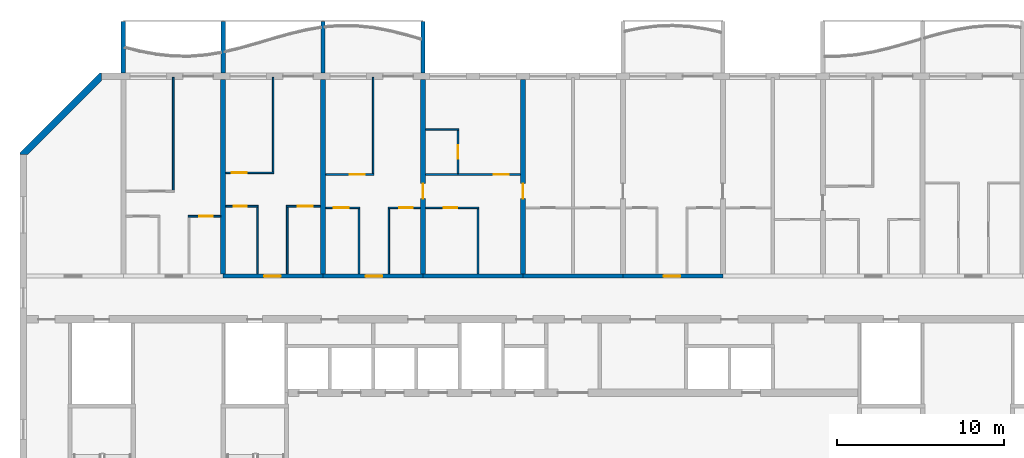
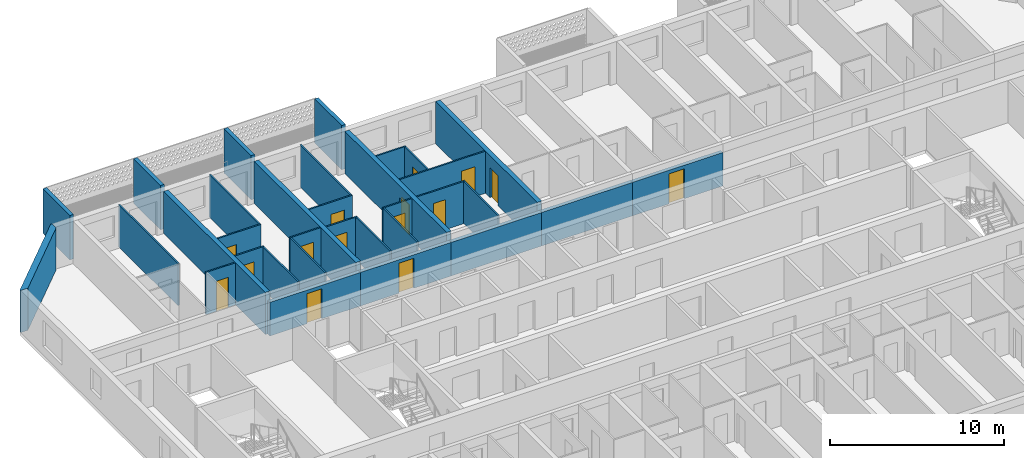
# One storey, part 8 of 26: 33 walls, 15 doors, 15 openings.
"""IFC4 building model written with IfcOpenShell, lengths in metres."""

from ifc_helpers import new_model, si_unit, direction, frame, frame_2d, origin, place, context, subcontext, project, spatial, polyline, rectangle, outline, extrude, source, transform, mapped, material, layer, layer_set, type_object, element, fill, save


model = new_model("IFC4")

# Units and contexts
model_context = context("Model", 3, precision=1e-05, world=origin(), true_north=direction((0.0, 1.0)))
body_context = subcontext(model_context, "Body", "Model", "MODEL_VIEW")
ifc_project = project(units=[si_unit("LENGTHUNIT", "METRE"), si_unit("AREAUNIT", "SQUARE_METRE"), si_unit("VOLUMEUNIT", "CUBIC_METRE"), si_unit("PLANEANGLEUNIT", "RADIAN"), si_unit("MASSUNIT", "GRAM", prefix="KILO")], contexts=[model_context])

# Site, building, storey
site_placement = place(None, origin())
site = spatial("IfcSite", under=ifc_project, at=site_placement, CompositionType="ELEMENT")
building_placement = place(site_placement, origin())
building = spatial("IfcBuilding", under=site, at=building_placement, Name="Poui Terraces", CompositionType="ELEMENT")
storey_placement = place(building_placement, frame((0.0, 0.0, 162.0)))
storey = spatial("IfcBuildingStorey", under=building, at=storey_placement, Name="L45", CompositionType="ELEMENT", Elevation=162.0)

# Wall, opening, door
ifc_material_1 = material(Name="Concrete 65 MPa", Category="concrete")
ifc_layer_1 = layer(ifc_material_1, 0.25)
ifc_layer_set_1 = layer_set([ifc_layer_1], Name="Concrete 65 MPa")
wall_type_1 = type_object("IfcWallType", Name="CORRIDOR WALL 250 65MPa", PredefinedType="SHEAR", material=ifc_layer_set_1)
wall_1_placement = place(storey_placement, frame((30.0, 30.39990234375, 0.0), z_axis=(0.0, 0.0, 1.0), x_axis=(1.0, 0.0, 0.0)))
wall_1 = element("IfcWall", 1, at=wall_1_placement, inside=storey, type_object=wall_type_1, Name="CORRIDOR WALL LINE E BAY 3", PredefinedType="SHEAR", context=body_context, shape_type="SweptSolid", body=[
    extrude(rectangle(XDim=6.0, YDim=0.25, at=frame_2d((3.0, 0.0))), origin(), (0.0, 0.0, 1.0), 2.35009765625),
])
opening_1_placement = place(wall_1_placement, frame((2.449951171875, 0.0, 0.0)))
opening_1 = element("IfcOpeningElement", 2, at=opening_1_placement, cuts=wall_1, Name="Opening FD30S", PredefinedType="OPENING", context=body_context, shape_type="SweptSolid", body=[
    extrude(rectangle(XDim=1.0, YDim=2.10009765625, at=frame_2d((0.5, 1.050048828125))), frame((0.0, 0.135009765625, 0.0), z_axis=(0.0, -1.0, 0.0), x_axis=(1.0, 0.0, 0.0)), (0.0, 0.0, 1.0), 0.27001953125),
])
ifc_material_2 = material(Name="Steel fire door", Category="steel")
door_type_1 = type_object("IfcDoorType", Name="FLAT ENTRANCE DOOR 1000 X 2100", OperationType="NOTDEFINED", PredefinedType="DOOR", material=ifc_material_2)
door_1_placement = place(opening_1_placement, origin())
door_1 = element("IfcDoor", 3, at=door_1_placement, inside=storey, type_object=door_type_1, Name="FLAT ENTRANCE DOOR 031", OperationType="SINGLE_SWING_LEFT", OverallHeight=2.10009765625, OverallWidth=1.0, PredefinedType="DOOR", context=body_context, shape_type="SweptSolid", body=[
    extrude(rectangle(XDim=1.0, YDim=2.10009765625, at=frame_2d((0.5, 1.050048828125))), frame((0.0, 0.02490234375, 0.0), z_axis=(0.0, -1.0, 0.0), x_axis=(1.0, 0.0, 0.0)), (0.0, 0.0, 1.0), 0.050048828125),
])
fill(opening_1, door_1)

wall_2_placement = place(storey_placement, frame((36.0, 30.39990234375, 0.0), z_axis=(0.0, 0.0, 1.0), x_axis=(1.0, 0.0, 0.0)))
wall_2 = element("IfcWall", 4, at=wall_2_placement, inside=storey, type_object=wall_type_1, Name="CORRIDOR WALL LINE E BAY 4", PredefinedType="SHEAR", context=body_context, shape_type="SweptSolid", body=[
    extrude(rectangle(XDim=6.0, YDim=0.25, at=frame_2d((3.0, 0.0))), origin(), (0.0, 0.0, 1.0), 2.35009765625),
])
opening_2_placement = place(wall_2_placement, frame((2.550048828125, 0.0, 0.0)))
opening_2 = element("IfcOpeningElement", 5, at=opening_2_placement, cuts=wall_2, Name="Opening FD30S", PredefinedType="OPENING", context=body_context, shape_type="SweptSolid", body=[
    extrude(rectangle(XDim=1.0, YDim=2.10009765625, at=frame_2d((0.5, 1.050048828125))), frame((0.0, 0.135009765625, 0.0), z_axis=(0.0, -1.0, 0.0), x_axis=(1.0, 0.0, 0.0)), (0.0, 0.0, 1.0), 0.27001953125),
])
door_2_placement = place(opening_2_placement, origin())
door_2 = element("IfcDoor", 6, at=door_2_placement, inside=storey, type_object=door_type_1, Name="FLAT ENTRANCE DOOR 039", OperationType="SINGLE_SWING_RIGHT", OverallHeight=2.10009765625, OverallWidth=1.0, PredefinedType="DOOR", context=body_context, shape_type="SweptSolid", body=[
    extrude(rectangle(XDim=1.0, YDim=2.10009765625, at=frame_2d((0.5, 1.050048828125))), frame((0.0, 0.02490234375, 0.0), z_axis=(0.0, -1.0, 0.0), x_axis=(1.0, 0.0, 0.0)), (0.0, 0.0, 1.0), 0.050048828125),
])
fill(opening_2, door_2)

# Walls
for number, where, z_axis, x_axis, name in (
    (7, (42.0, 30.39990234375, 0.0), (0.0, 0.0, 1.0), (1.0, 0.0, 0.0), "CORRIDOR WALL LINE E BAY 5"),
    (8, (48.0, 30.39990234375, 0.0), (0.0, 0.0, 1.0), (1.0, 0.0, 0.0), "CORRIDOR WALL LINE E BAY 6"),
):
    element("IfcWall", number, at=place(storey_placement, frame(where, z_axis=z_axis, x_axis=x_axis)), inside=storey, type_object=wall_type_1, Name=name, PredefinedType="SHEAR", context=body_context, shape_type="SweptSolid", body=[
        extrude(rectangle(XDim=6.0, YDim=0.25, at=frame_2d((3.0, 0.0))), origin(), (0.0, 0.0, 1.0), 2.35009765625),
    ])

# Wall, opening, door
wall_3_placement = place(storey_placement, frame((54.0, 30.39990234375, 0.0), z_axis=(0.0, 0.0, 1.0), x_axis=(1.0, 0.0, 0.0)))
wall_3 = element("IfcWall", 9, at=wall_3_placement, inside=storey, type_object=wall_type_1, Name="CORRIDOR WALL LINE E BAY 7", PredefinedType="SHEAR", context=body_context, shape_type="SweptSolid", body=[
    extrude(rectangle(XDim=6.0, YDim=0.25, at=frame_2d((3.0, 0.0))), origin(), (0.0, 0.0, 1.0), 2.35009765625),
])
opening_3_placement = place(wall_3_placement, frame((2.449951171875, 0.0, 0.0)))
opening_3 = element("IfcOpeningElement", 10, at=opening_3_placement, cuts=wall_3, Name="Opening FD30S", PredefinedType="OPENING", context=body_context, shape_type="SweptSolid", body=[
    extrude(rectangle(XDim=1.0, YDim=2.10009765625, at=frame_2d((0.5, 1.050048828125))), frame((0.0, 0.135009765625, 0.0), z_axis=(0.0, -1.0, 0.0), x_axis=(1.0, 0.0, 0.0)), (0.0, 0.0, 1.0), 0.27001953125),
])
door_3_placement = place(opening_3_placement, origin())
door_3 = element("IfcDoor", 11, at=door_3_placement, inside=storey, type_object=door_type_1, Name="FLAT ENTRANCE DOOR 047", OperationType="SINGLE_SWING_LEFT", OverallHeight=2.10009765625, OverallWidth=1.0, PredefinedType="DOOR", context=body_context, shape_type="SweptSolid", body=[
    extrude(rectangle(XDim=1.0, YDim=2.10009765625, at=frame_2d((0.5, 1.050048828125))), frame((0.0, 0.02490234375, 0.0), z_axis=(0.0, -1.0, 0.0), x_axis=(1.0, 0.0, 0.0)), (0.0, 0.0, 1.0), 0.050048828125),
])
fill(opening_3, door_3)

# Walls
ifc_layer_2 = layer(ifc_material_1, 0.300048828125)
ifc_layer_set_2 = layer_set([ifc_layer_2], Name="Concrete 65 MPa")
wall_type_2 = type_object("IfcWallType", Name="CROSS WALL 300 65MPa", PredefinedType="SHEAR", material=ifc_layer_set_2)
for number, where, z_axis, x_axis, name in (
    (12, (30.0, 30.52490234375, 0.0), (0.0, 0.0, 1.0), (0.0, 1.0, 0.0), "CROSS WALL LINE 6 NORTH"),
    (13, (36.0, 30.52490234375, 0.0), (0.0, 0.0, 1.0), (0.0, 1.0, 0.0), "CROSS WALL LINE 7 NORTH"),
):
    element("IfcWall", number, at=place(storey_placement, frame(where, z_axis=z_axis, x_axis=x_axis)), inside=storey, type_object=wall_type_2, Name=name, PredefinedType="SHEAR", context=body_context, shape_type="SweptSolid", body=[
        extrude(rectangle(XDim=11.675048828125, YDim=0.300048828125, at=frame_2d((5.83740234375, 0.0))), origin(), (0.0, 0.0, 1.0), 2.949951171875),
    ])

# Wall, opening, door
wall_4_placement = place(storey_placement, frame((42.0, 30.52490234375, 0.0), z_axis=(0.0, 0.0, 1.0), x_axis=(0.0, 1.0, 0.0)))
wall_4 = element("IfcWall", 14, at=wall_4_placement, inside=storey, type_object=wall_type_2, Name="CROSS WALL LINE 8 NORTH", PredefinedType="SHEAR", context=body_context, shape_type="SweptSolid", body=[
    extrude(rectangle(XDim=11.675048828125, YDim=0.300048828125, at=frame_2d((5.83740234375, 0.0))), origin(), (0.0, 0.0, 1.0), 2.949951171875),
])
opening_4_placement = place(wall_4_placement, frame((4.52490234375, 0.0, 0.0)))
opening_4 = element("IfcOpeningElement", 15, at=opening_4_placement, cuts=wall_4, Name="Opening D90", PredefinedType="OPENING", context=body_context, shape_type="SweptSolid", body=[
    extrude(rectangle(XDim=0.89990234375, YDim=2.10009765625, at=frame_2d((0.449951171875, 1.050048828125))), frame((0.0, 0.16015625, 0.0), z_axis=(0.0, -1.0, 0.0), x_axis=(1.0, 0.0, 0.0)), (0.0, 0.0, 1.0), 0.320068359375),
])
ifc_material_3 = material(Name="Solid core timber door", Category="wood")
door_type_2 = type_object("IfcDoorType", Name="INTERNAL DOOR 900 X 2100", OperationType="NOTDEFINED", PredefinedType="DOOR", material=ifc_material_3)
door_4_placement = place(opening_4_placement, origin())
door_4 = element("IfcDoor", 16, at=door_4_placement, inside=storey, type_object=door_type_2, Name="INTERNAL DOOR 041", OperationType="SINGLE_SWING_LEFT", OverallHeight=2.10009765625, OverallWidth=0.89990234375, PredefinedType="DOOR", context=body_context, shape_type="SweptSolid", body=[
    extrude(rectangle(XDim=0.89990234375, YDim=2.10009765625, at=frame_2d((0.449951171875, 1.050048828125))), frame((0.0, 0.02490234375, 0.0), z_axis=(0.0, -1.0, 0.0), x_axis=(1.0, 0.0, 0.0)), (0.0, 0.0, 1.0), 0.050048828125),
])
fill(opening_4, door_4)

wall_5_placement = place(storey_placement, frame((48.0, 30.52490234375, 0.0), z_axis=(0.0, 0.0, 1.0), x_axis=(0.0, 1.0, 0.0)))
wall_5 = element("IfcWall", 17, at=wall_5_placement, inside=storey, type_object=wall_type_2, Name="CROSS WALL LINE 9 NORTH", PredefinedType="SHEAR", context=body_context, shape_type="SweptSolid", body=[
    extrude(rectangle(XDim=11.675048828125, YDim=0.300048828125, at=frame_2d((5.83740234375, 0.0))), origin(), (0.0, 0.0, 1.0), 2.949951171875),
])
opening_5_placement = place(wall_5_placement, frame((4.52490234375, 0.0, 0.0)))
opening_5 = element("IfcOpeningElement", 18, at=opening_5_placement, cuts=wall_5, Name="Opening D90", PredefinedType="OPENING", context=body_context, shape_type="SweptSolid", body=[
    extrude(rectangle(XDim=0.89990234375, YDim=2.10009765625, at=frame_2d((0.449951171875, 1.050048828125))), frame((0.0, 0.16015625, 0.0), z_axis=(0.0, -1.0, 0.0), x_axis=(1.0, 0.0, 0.0)), (0.0, 0.0, 1.0), 0.320068359375),
])
door_5_placement = place(opening_5_placement, frame((0.89990234375, 0.0, 0.0), z_axis=(0.0, 0.0, 1.0), x_axis=(-1.0, 0.0, 0.0)))
door_5 = element("IfcDoor", 19, at=door_5_placement, inside=storey, type_object=door_type_2, Name="INTERNAL DOOR 036", OperationType="SINGLE_SWING_RIGHT", OverallHeight=2.10009765625, OverallWidth=0.89990234375, PredefinedType="DOOR", context=body_context, shape_type="SweptSolid", body=[
    extrude(rectangle(XDim=0.89990234375, YDim=2.10009765625, at=frame_2d((0.449951171875, 1.050048828125))), frame((0.0, 0.02490234375, 0.0), z_axis=(0.0, -1.0, 0.0), x_axis=(1.0, 0.0, 0.0)), (0.0, 0.0, 1.0), 0.050048828125),
])
fill(opening_5, door_5)

ifc_material_4 = material(Name="Plasterboard partition")
ifc_layer_3 = layer(ifc_material_4, 0.10009765625)
ifc_layer_set_3 = layer_set([ifc_layer_3], Name="Plasterboard partition")
wall_type_3 = type_object("IfcWallType", Name="FLAT PARTITION 100", PredefinedType="PARTITIONING", material=ifc_layer_set_3)
wall_6_placement = place(storey_placement, frame((27.89990234375, 34.0, 0.0), z_axis=(0.0, 0.0, 1.0), x_axis=(1.0, 0.0, 0.0)))
wall_6 = element("IfcWall", 20, at=wall_6_placement, inside=storey, type_object=wall_type_3, Name="FLAT PARTITION 100", PredefinedType="PARTITIONING", context=body_context, shape_type="SweptSolid", body=[
    extrude(rectangle(XDim=1.940185546875, YDim=0.10009765625, at=frame_2d((0.97021484375, 0.0))), origin(), (0.0, 0.0, 1.0), 2.949951171875),
])
opening_6_placement = place(wall_6_placement, frame((0.675048828125, 0.0, 0.0)))
opening_6 = element("IfcOpeningElement", 21, at=opening_6_placement, cuts=wall_6, Name="Opening D80", PredefinedType="OPENING", context=body_context, shape_type="SweptSolid", body=[
    extrude(rectangle(XDim=0.800048828125, YDim=2.10009765625, at=frame_2d((0.39990234375, 1.050048828125))), frame((0.0, 0.06005859375, 0.0), z_axis=(0.0, -1.0, 0.0), x_axis=(1.0, 0.0, 0.0)), (0.0, 0.0, 1.0), 0.1201171875),
])
door_type_3 = type_object("IfcDoorType", Name="BATHROOM, LAUNDRY AND STORE DOOR 800 X 2100", OperationType="NOTDEFINED", PredefinedType="DOOR", material=ifc_material_3)
door_6_placement = place(opening_6_placement, frame((0.800048828125, 0.0, 0.0), z_axis=(0.0, 0.0, 1.0), x_axis=(-1.0, 0.0, 0.0)))
door_6 = element("IfcDoor", 22, at=door_6_placement, inside=storey, type_object=door_type_3, Name="BATHROOM, LAUNDRY AND STORE DOOR 028", OperationType="SINGLE_SWING_RIGHT", OverallHeight=2.10009765625, OverallWidth=0.800048828125, PredefinedType="DOOR", context=body_context, shape_type="SweptSolid", body=[
    extrude(rectangle(XDim=0.800048828125, YDim=2.10009765625, at=frame_2d((0.39990234375, 1.050048828125))), frame((0.0, 0.02490234375, 0.0), z_axis=(0.0, -1.0, 0.0), x_axis=(1.0, 0.0, 0.0)), (0.0, 0.0, 1.0), 0.050048828125),
])
fill(opening_6, door_6)

wall_7_placement = place(storey_placement, frame((36.159912109375, 34.5, 0.0), z_axis=(0.0, 0.0, 1.0), x_axis=(1.0, 0.0, 0.0)))
wall_7 = element("IfcWall", 23, at=wall_7_placement, inside=storey, type_object=wall_type_3, Name="FLAT PARTITION 100", PredefinedType="PARTITIONING", context=body_context, shape_type="SweptSolid", body=[
    extrude(rectangle(XDim=2.0400390625, YDim=0.10009765625, at=frame_2d((1.02001953125, 0.0))), origin(), (0.0, 0.0, 1.0), 2.949951171875),
])
opening_7_placement = place(wall_7_placement, frame((0.465087890625, 0.0, 0.0)))
opening_7 = element("IfcOpeningElement", 24, at=opening_7_placement, cuts=wall_7, Name="Opening D90", PredefinedType="OPENING", context=body_context, shape_type="SweptSolid", body=[
    extrude(rectangle(XDim=0.89990234375, YDim=2.10009765625, at=frame_2d((0.449951171875, 1.050048828125))), frame((0.0, 0.06005859375, 0.0), z_axis=(0.0, -1.0, 0.0), x_axis=(1.0, 0.0, 0.0)), (0.0, 0.0, 1.0), 0.1201171875),
])
door_7_placement = place(opening_7_placement, frame((0.89990234375, 0.0, 0.0), z_axis=(0.0, 0.0, 1.0), x_axis=(-1.0, 0.0, 0.0)))
door_7 = element("IfcDoor", 25, at=door_7_placement, inside=storey, type_object=door_type_2, Name="INTERNAL DOOR 037", OperationType="SINGLE_SWING_LEFT", OverallHeight=2.10009765625, OverallWidth=0.89990234375, PredefinedType="DOOR", context=body_context, shape_type="SweptSolid", body=[
    extrude(rectangle(XDim=0.89990234375, YDim=2.10009765625, at=frame_2d((0.449951171875, 1.050048828125))), frame((0.0, 0.02490234375, 0.0), z_axis=(0.0, -1.0, 0.0), x_axis=(1.0, 0.0, 0.0)), (0.0, 0.0, 1.0), 0.050048828125),
])
fill(opening_7, door_7)

wall_8_placement = place(storey_placement, frame((39.89990234375, 34.5, 0.0), z_axis=(0.0, 0.0, 1.0), x_axis=(1.0, 0.0, 0.0)))
wall_8 = element("IfcWall", 26, at=wall_8_placement, inside=storey, type_object=wall_type_3, Name="FLAT PARTITION 100", PredefinedType="PARTITIONING", context=body_context, shape_type="SweptSolid", body=[
    extrude(rectangle(XDim=1.940185546875, YDim=0.10009765625, at=frame_2d((0.97021484375, 0.0))), origin(), (0.0, 0.0, 1.0), 2.949951171875),
])
opening_8_placement = place(wall_8_placement, frame((0.675048828125, 0.0, 0.0)))
opening_8 = element("IfcOpeningElement", 27, at=opening_8_placement, cuts=wall_8, Name="Opening D80", PredefinedType="OPENING", context=body_context, shape_type="SweptSolid", body=[
    extrude(rectangle(XDim=0.800048828125, YDim=2.10009765625, at=frame_2d((0.39990234375, 1.050048828125))), frame((0.0, 0.06005859375, 0.0), z_axis=(0.0, -1.0, 0.0), x_axis=(1.0, 0.0, 0.0)), (0.0, 0.0, 1.0), 0.1201171875),
])
door_8_placement = place(opening_8_placement, frame((0.800048828125, 0.0, 0.0), z_axis=(0.0, 0.0, 1.0), x_axis=(-1.0, 0.0, 0.0)))
door_8 = element("IfcDoor", 28, at=door_8_placement, inside=storey, type_object=door_type_3, Name="BATHROOM, LAUNDRY AND STORE DOOR 040", OperationType="SINGLE_SWING_RIGHT", OverallHeight=2.10009765625, OverallWidth=0.800048828125, PredefinedType="DOOR", context=body_context, shape_type="SweptSolid", body=[
    extrude(rectangle(XDim=0.800048828125, YDim=2.10009765625, at=frame_2d((0.39990234375, 1.050048828125))), frame((0.0, 0.02490234375, 0.0), z_axis=(0.0, -1.0, 0.0), x_axis=(1.0, 0.0, 0.0)), (0.0, 0.0, 1.0), 0.050048828125),
])
fill(opening_8, door_8)

wall_9_placement = place(storey_placement, frame((42.159912109375, 34.5, 0.0), z_axis=(0.0, 0.0, 1.0), x_axis=(1.0, 0.0, 0.0)))
wall_9 = element("IfcWall", 29, at=wall_9_placement, inside=storey, type_object=wall_type_3, Name="FLAT PARTITION 100", PredefinedType="PARTITIONING", context=body_context, shape_type="SweptSolid", body=[
    extrude(rectangle(XDim=3.190185546875, YDim=0.10009765625, at=frame_2d((1.59521484375, 0.0))), origin(), (0.0, 0.0, 1.0), 2.949951171875),
])
opening_9_placement = place(wall_9_placement, frame((1.090087890625, 0.0, 0.0)))
opening_9 = element("IfcOpeningElement", 30, at=opening_9_placement, cuts=wall_9, Name="Opening D80", PredefinedType="OPENING", context=body_context, shape_type="SweptSolid", body=[
    extrude(rectangle(XDim=0.800048828125, YDim=2.10009765625, at=frame_2d((0.39990234375, 1.050048828125))), frame((0.0, 0.06005859375, 0.0), z_axis=(0.0, -1.0, 0.0), x_axis=(1.0, 0.0, 0.0)), (0.0, 0.0, 1.0), 0.1201171875),
])
door_9_placement = place(opening_9_placement, origin())
door_9 = element("IfcDoor", 31, at=door_9_placement, inside=storey, type_object=door_type_3, Name="BATHROOM, LAUNDRY AND STORE DOOR 034", OperationType="SINGLE_SWING_LEFT", OverallHeight=2.10009765625, OverallWidth=0.800048828125, PredefinedType="DOOR", context=body_context, shape_type="SweptSolid", body=[
    extrude(rectangle(XDim=0.800048828125, YDim=2.10009765625, at=frame_2d((0.39990234375, 1.050048828125))), frame((0.0, 0.02490234375, 0.0), z_axis=(0.0, -1.0, 0.0), x_axis=(1.0, 0.0, 0.0)), (0.0, 0.0, 1.0), 0.050048828125),
])
fill(opening_9, door_9)

wall_10_placement = place(storey_placement, frame((30.159912109375, 34.60009765625, 0.0), z_axis=(0.0, 0.0, 1.0), x_axis=(1.0, 0.0, 0.0)))
wall_10 = element("IfcWall", 32, at=wall_10_placement, inside=storey, type_object=wall_type_3, Name="FLAT PARTITION 100", PredefinedType="PARTITIONING", context=body_context, shape_type="SweptSolid", body=[
    extrude(rectangle(XDim=1.940185546875, YDim=0.10009765625, at=frame_2d((0.97021484375, 0.0))), origin(), (0.0, 0.0, 1.0), 2.949951171875),
])
opening_10_placement = place(wall_10_placement, frame((0.465087890625, 0.0, 0.0)))
opening_10 = element("IfcOpeningElement", 33, at=opening_10_placement, cuts=wall_10, Name="Opening D80", PredefinedType="OPENING", context=body_context, shape_type="SweptSolid", body=[
    extrude(rectangle(XDim=0.800048828125, YDim=2.10009765625, at=frame_2d((0.39990234375, 1.050048828125))), frame((0.0, 0.06005859375, 0.0), z_axis=(0.0, -1.0, 0.0), x_axis=(1.0, 0.0, 0.0)), (0.0, 0.0, 1.0), 0.1201171875),
])
door_10_placement = place(opening_10_placement, frame((0.800048828125, 0.0, 0.0), z_axis=(0.0, 0.0, 1.0), x_axis=(-1.0, 0.0, 0.0)))
door_10 = element("IfcDoor", 34, at=door_10_placement, inside=storey, type_object=door_type_3, Name="BATHROOM, LAUNDRY AND STORE DOOR 030", OperationType="SINGLE_SWING_RIGHT", OverallHeight=2.10009765625, OverallWidth=0.800048828125, PredefinedType="DOOR", context=body_context, shape_type="SweptSolid", body=[
    extrude(rectangle(XDim=0.800048828125, YDim=2.10009765625, at=frame_2d((0.39990234375, 1.050048828125))), frame((0.0, 0.02490234375, 0.0), z_axis=(0.0, -1.0, 0.0), x_axis=(1.0, 0.0, 0.0)), (0.0, 0.0, 1.0), 0.050048828125),
])
fill(opening_10, door_10)

wall_11_placement = place(storey_placement, frame((33.800048828125, 34.60009765625, 0.0), z_axis=(0.0, 0.0, 1.0), x_axis=(1.0, 0.0, 0.0)))
wall_11 = element("IfcWall", 35, at=wall_11_placement, inside=storey, type_object=wall_type_3, Name="FLAT PARTITION 100", PredefinedType="PARTITIONING", context=body_context, shape_type="SweptSolid", body=[
    extrude(rectangle(XDim=2.0400390625, YDim=0.10009765625, at=frame_2d((1.02001953125, 0.0))), origin(), (0.0, 0.0, 1.0), 2.949951171875),
])
opening_11_placement = place(wall_11_placement, frame((0.675048828125, 0.0, 0.0)))
opening_11 = element("IfcOpeningElement", 36, at=opening_11_placement, cuts=wall_11, Name="Opening D90", PredefinedType="OPENING", context=body_context, shape_type="SweptSolid", body=[
    extrude(rectangle(XDim=0.89990234375, YDim=2.10009765625, at=frame_2d((0.449951171875, 1.050048828125))), frame((0.0, 0.06005859375, 0.0), z_axis=(0.0, -1.0, 0.0), x_axis=(1.0, 0.0, 0.0)), (0.0, 0.0, 1.0), 0.1201171875),
])
door_11_placement = place(opening_11_placement, frame((0.89990234375, 0.0, 0.0), z_axis=(0.0, 0.0, 1.0), x_axis=(-1.0, 0.0, 0.0)))
door_11 = element("IfcDoor", 37, at=door_11_placement, inside=storey, type_object=door_type_2, Name="INTERNAL DOOR 032", OperationType="SINGLE_SWING_LEFT", OverallHeight=2.10009765625, OverallWidth=0.89990234375, PredefinedType="DOOR", context=body_context, shape_type="SweptSolid", body=[
    extrude(rectangle(XDim=0.89990234375, YDim=2.10009765625, at=frame_2d((0.449951171875, 1.050048828125))), frame((0.0, 0.02490234375, 0.0), z_axis=(0.0, -1.0, 0.0), x_axis=(1.0, 0.0, 0.0)), (0.0, 0.0, 1.0), 0.050048828125),
])
fill(opening_11, door_11)

wall_12_placement = place(storey_placement, frame((36.159912109375, 36.5, 0.0), z_axis=(0.0, 0.0, 1.0), x_axis=(1.0, 0.0, 0.0)))
wall_12 = element("IfcWall", 38, at=wall_12_placement, inside=storey, type_object=wall_type_3, Name="FLAT PARTITION 100", PredefinedType="PARTITIONING", context=body_context, shape_type="SweptSolid", body=[
    extrude(rectangle(XDim=2.89013671875, YDim=0.10009765625, at=frame_2d((1.445068359375, 0.0))), origin(), (0.0, 0.0, 1.0), 2.949951171875),
])
opening_12_placement = place(wall_12_placement, frame((1.43994140625, 0.0, 0.0)))
opening_12 = element("IfcOpeningElement", 39, at=opening_12_placement, cuts=wall_12, Name="Opening D90", PredefinedType="OPENING", context=body_context, shape_type="SweptSolid", body=[
    extrude(rectangle(XDim=0.89990234375, YDim=2.10009765625, at=frame_2d((0.449951171875, 1.050048828125))), frame((0.0, 0.06005859375, 0.0), z_axis=(0.0, -1.0, 0.0), x_axis=(1.0, 0.0, 0.0)), (0.0, 0.0, 1.0), 0.1201171875),
])
door_12_placement = place(opening_12_placement, frame((0.89990234375, 0.0, 0.0), z_axis=(0.0, 0.0, 1.0), x_axis=(-1.0, 0.0, 0.0)))
door_12 = element("IfcDoor", 40, at=door_12_placement, inside=storey, type_object=door_type_2, Name="INTERNAL DOOR 038", OperationType="SINGLE_SWING_RIGHT", OverallHeight=2.10009765625, OverallWidth=0.89990234375, PredefinedType="DOOR", context=body_context, shape_type="SweptSolid", body=[
    extrude(rectangle(XDim=0.89990234375, YDim=2.10009765625, at=frame_2d((0.449951171875, 1.050048828125))), frame((0.0, 0.02490234375, 0.0), z_axis=(0.0, -1.0, 0.0), x_axis=(1.0, 0.0, 0.0)), (0.0, 0.0, 1.0), 0.050048828125),
])
fill(opening_12, door_12)

wall_13_placement = place(storey_placement, frame((42.159912109375, 36.5, 0.0), z_axis=(0.0, 0.0, 1.0), x_axis=(1.0, 0.0, 0.0)))
wall_13 = element("IfcWall", 41, at=wall_13_placement, inside=storey, type_object=wall_type_3, Name="FLAT PARTITION 100", PredefinedType="PARTITIONING", context=body_context, shape_type="SweptSolid", body=[
    extrude(rectangle(XDim=5.68017578125, YDim=0.10009765625, at=frame_2d((2.840087890625, 0.0))), origin(), (0.0, 0.0, 1.0), 2.949951171875),
])
opening_13_placement = place(wall_13_placement, frame((4.090087890625, 0.0, 0.0)))
opening_13 = element("IfcOpeningElement", 42, at=opening_13_placement, cuts=wall_13, Name="Opening D90", PredefinedType="OPENING", context=body_context, shape_type="SweptSolid", body=[
    extrude(rectangle(XDim=0.89990234375, YDim=2.10009765625, at=frame_2d((0.449951171875, 1.050048828125))), frame((0.0, 0.06005859375, 0.0), z_axis=(0.0, -1.0, 0.0), x_axis=(1.0, 0.0, 0.0)), (0.0, 0.0, 1.0), 0.1201171875),
])
door_13_placement = place(opening_13_placement, origin())
door_13 = element("IfcDoor", 43, at=door_13_placement, inside=storey, type_object=door_type_2, Name="INTERNAL DOOR 035", OperationType="SINGLE_SWING_RIGHT", OverallHeight=2.10009765625, OverallWidth=0.89990234375, PredefinedType="DOOR", context=body_context, shape_type="SweptSolid", body=[
    extrude(rectangle(XDim=0.89990234375, YDim=2.10009765625, at=frame_2d((0.449951171875, 1.050048828125))), frame((0.0, 0.02490234375, 0.0), z_axis=(0.0, -1.0, 0.0), x_axis=(1.0, 0.0, 0.0)), (0.0, 0.0, 1.0), 0.050048828125),
])
fill(opening_13, door_13)

wall_14_placement = place(storey_placement, frame((30.159912109375, 36.60009765625, 0.0), z_axis=(0.0, 0.0, 1.0), x_axis=(1.0, 0.0, 0.0)))
wall_14 = element("IfcWall", 44, at=wall_14_placement, inside=storey, type_object=wall_type_3, Name="FLAT PARTITION 100", PredefinedType="PARTITIONING", context=body_context, shape_type="SweptSolid", body=[
    extrude(rectangle(XDim=2.89013671875, YDim=0.10009765625, at=frame_2d((1.445068359375, 0.0))), origin(), (0.0, 0.0, 1.0), 2.949951171875),
])
opening_14_placement = place(wall_14_placement, frame((0.340087890625, 0.0, 0.0)))
opening_14 = element("IfcOpeningElement", 45, at=opening_14_placement, cuts=wall_14, Name="Opening D90", PredefinedType="OPENING", context=body_context, shape_type="SweptSolid", body=[
    extrude(rectangle(XDim=0.89990234375, YDim=2.10009765625, at=frame_2d((0.449951171875, 1.050048828125))), frame((0.0, 0.06005859375, 0.0), z_axis=(0.0, -1.0, 0.0), x_axis=(1.0, 0.0, 0.0)), (0.0, 0.0, 1.0), 0.1201171875),
])
door_14_placement = place(opening_14_placement, frame((0.89990234375, 0.0, 0.0), z_axis=(0.0, 0.0, 1.0), x_axis=(-1.0, 0.0, 0.0)))
door_14 = element("IfcDoor", 46, at=door_14_placement, inside=storey, type_object=door_type_2, Name="INTERNAL DOOR 029", OperationType="SINGLE_SWING_LEFT", OverallHeight=2.10009765625, OverallWidth=0.89990234375, PredefinedType="DOOR", context=body_context, shape_type="SweptSolid", body=[
    extrude(rectangle(XDim=0.89990234375, YDim=2.10009765625, at=frame_2d((0.449951171875, 1.050048828125))), frame((0.0, 0.02490234375, 0.0), z_axis=(0.0, -1.0, 0.0), x_axis=(1.0, 0.0, 0.0)), (0.0, 0.0, 1.0), 0.050048828125),
])
fill(opening_14, door_14)

# Walls
wall_15_placement = place(storey_placement, frame((42.159912109375, 39.199951171875, 0.0), z_axis=(0.0, 0.0, 1.0), x_axis=(1.0, 0.0, 0.0)))
element("IfcWall", 47, at=wall_15_placement, inside=storey, type_object=wall_type_3, Name="FLAT PARTITION 100", PredefinedType="PARTITIONING", context=body_context, shape_type="SweptSolid", body=[
    extrude(rectangle(XDim=1.989990234375, YDim=0.10009765625, at=frame_2d((0.9951171875, 0.0))), origin(), (0.0, 0.0, 1.0), 2.949951171875),
])
wall_16_placement = place(storey_placement, frame((27.0, 35.550048828125, 0.0), z_axis=(0.0, 0.0, 1.0), x_axis=(0.0, 1.0, 0.0)))
element("IfcWall", 48, at=wall_16_placement, inside=storey, type_object=wall_type_3, Name="FLAT PARTITION 100", PredefinedType="PARTITIONING", context=body_context, shape_type="SweptSolid", body=[
    extrude(rectangle(XDim=6.7900390625, YDim=0.10009765625, at=frame_2d((3.39501953125, 0.0))), origin(), (0.0, 0.0, 1.0), 2.949951171875),
])
wall_17_placement = place(storey_placement, frame((32.050048828125, 30.534912109375, 0.0), z_axis=(0.0, 0.0, 1.0), x_axis=(0.0, 1.0, 0.0)))
element("IfcWall", 49, at=wall_17_placement, inside=storey, type_object=wall_type_3, Name="FLAT PARTITION 100", PredefinedType="PARTITIONING", context=body_context, shape_type="SweptSolid", body=[
    extrude(rectangle(XDim=4.01513671875, YDim=0.10009765625, at=frame_2d((2.007568359375, 0.0))), origin(), (0.0, 0.0, 1.0), 2.949951171875),
])
wall_18_placement = place(storey_placement, frame((33.0, 36.64990234375, 0.0), z_axis=(0.0, 0.0, 1.0), x_axis=(0.0, 1.0, 0.0)))
element("IfcWall", 50, at=wall_18_placement, inside=storey, type_object=wall_type_3, Name="FLAT PARTITION 100", PredefinedType="PARTITIONING", context=body_context, shape_type="SweptSolid", body=[
    extrude(rectangle(XDim=5.690185546875, YDim=0.10009765625, at=frame_2d((2.84521484375, 0.0))), origin(), (0.0, 0.0, 1.0), 2.949951171875),
])
wall_19_placement = place(storey_placement, frame((33.85009765625, 30.534912109375, 0.0), z_axis=(0.0, 0.0, 1.0), x_axis=(0.0, 1.0, 0.0)))
element("IfcWall", 51, at=wall_19_placement, inside=storey, type_object=wall_type_3, Name="FLAT PARTITION 100", PredefinedType="PARTITIONING", context=body_context, shape_type="SweptSolid", body=[
    extrude(rectangle(XDim=4.01513671875, YDim=0.10009765625, at=frame_2d((2.007568359375, 0.0))), origin(), (0.0, 0.0, 1.0), 2.949951171875),
])
wall_20_placement = place(storey_placement, frame((38.14990234375, 30.534912109375, 0.0), z_axis=(0.0, 0.0, 1.0), x_axis=(0.0, 1.0, 0.0)))
element("IfcWall", 52, at=wall_20_placement, inside=storey, type_object=wall_type_3, Name="FLAT PARTITION 100", PredefinedType="PARTITIONING", context=body_context, shape_type="SweptSolid", body=[
    extrude(rectangle(XDim=3.9150390625, YDim=0.10009765625, at=frame_2d((1.95751953125, 0.0))), origin(), (0.0, 0.0, 1.0), 2.949951171875),
])
wall_21_placement = place(storey_placement, frame((39.0, 36.550048828125, 0.0), z_axis=(0.0, 0.0, 1.0), x_axis=(0.0, 1.0, 0.0)))
element("IfcWall", 53, at=wall_21_placement, inside=storey, type_object=wall_type_3, Name="FLAT PARTITION 100", PredefinedType="PARTITIONING", context=body_context, shape_type="SweptSolid", body=[
    extrude(rectangle(XDim=5.7900390625, YDim=0.10009765625, at=frame_2d((2.89501953125, 0.0))), origin(), (0.0, 0.0, 1.0), 2.949951171875),
])
wall_22_placement = place(storey_placement, frame((39.949951171875, 30.534912109375, 0.0), z_axis=(0.0, 0.0, 1.0), x_axis=(0.0, 1.0, 0.0)))
element("IfcWall", 54, at=wall_22_placement, inside=storey, type_object=wall_type_3, Name="FLAT PARTITION 100", PredefinedType="PARTITIONING", context=body_context, shape_type="SweptSolid", body=[
    extrude(rectangle(XDim=3.9150390625, YDim=0.10009765625, at=frame_2d((1.95751953125, 0.0))), origin(), (0.0, 0.0, 1.0), 2.949951171875),
])

# Wall, opening, door
wall_23_placement = place(storey_placement, frame((44.10009765625, 36.550048828125, 0.0), z_axis=(0.0, 0.0, 1.0), x_axis=(0.0, 1.0, 0.0)))
wall_23 = element("IfcWall", 55, at=wall_23_placement, inside=storey, type_object=wall_type_3, Name="FLAT PARTITION 100", PredefinedType="PARTITIONING", context=body_context, shape_type="SweptSolid", body=[
    extrude(rectangle(XDim=2.599853515625, YDim=0.10009765625, at=frame_2d((1.2998046875, 0.0))), origin(), (0.0, 0.0, 1.0), 2.949951171875),
])
opening_15_placement = place(wall_23_placement, frame((0.89990234375, 0.0, 0.0)))
opening_15 = element("IfcOpeningElement", 56, at=opening_15_placement, cuts=wall_23, Name="Opening D80", PredefinedType="OPENING", context=body_context, shape_type="SweptSolid", body=[
    extrude(rectangle(XDim=0.800048828125, YDim=2.10009765625, at=frame_2d((0.39990234375, 1.050048828125))), frame((0.0, 0.06005859375, 0.0), z_axis=(0.0, -1.0, 0.0), x_axis=(1.0, 0.0, 0.0)), (0.0, 0.0, 1.0), 0.1201171875),
])
door_15_placement = place(opening_15_placement, origin())
door_15 = element("IfcDoor", 57, at=door_15_placement, inside=storey, type_object=door_type_3, Name="BATHROOM, LAUNDRY AND STORE DOOR 042", OperationType="SINGLE_SWING_RIGHT", OverallHeight=2.10009765625, OverallWidth=0.800048828125, PredefinedType="DOOR", context=body_context, shape_type="SweptSolid", body=[
    extrude(rectangle(XDim=0.800048828125, YDim=2.10009765625, at=frame_2d((0.39990234375, 1.050048828125))), frame((0.0, 0.02490234375, 0.0), z_axis=(0.0, -1.0, 0.0), x_axis=(1.0, 0.0, 0.0)), (0.0, 0.0, 1.0), 0.050048828125),
])
fill(opening_15, door_15)

# Walls
wall_24_placement = place(storey_placement, frame((45.300048828125, 30.534912109375, 0.0), z_axis=(0.0, 0.0, 1.0), x_axis=(0.0, 1.0, 0.0)))
element("IfcWall", 58, at=wall_24_placement, inside=storey, type_object=wall_type_3, Name="FLAT PARTITION 100", PredefinedType="PARTITIONING", context=body_context, shape_type="SweptSolid", body=[
    extrude(rectangle(XDim=3.9150390625, YDim=0.10009765625, at=frame_2d((1.95751953125, 0.0))), origin(), (0.0, 0.0, 1.0), 2.949951171875),
])
ifc_material_5 = material(Name="Precast concrete 40 MPa", Category="concrete")
ifc_layer_4 = layer(ifc_material_5, 0.39990234375)
ifc_layer_set_4 = layer_set([ifc_layer_4], Name="Precast concrete 40 MPa")
wall_type_4 = type_object("IfcWallType", Name="TERRACOTTA CLAD CHAMFER WALL 400", PredefinedType="STANDARD", material=ifc_layer_set_4)
wall_25_placement = place(storey_placement, origin())
element("IfcWall", 59, at=wall_25_placement, inside=storey, type_object=wall_type_4, Name="CHAMFER WALL CH05", PredefinedType="STANDARD", context=body_context, shape_type="SweptSolid", body=[
    extrude(outline(polyline([(22.682861328125, 42.60009765625), (22.60009765625, 42.60009765625), (17.800048828125, 37.800048828125), (17.800048828125, 37.71728515625), (18.28271484375, 37.71728515625), (22.682861328125, 42.1171875), (22.682861328125, 42.60009765625)])), origin(), (0.0, 0.0, 1.0), 2.949951171875),
])
ifc_layer_5 = layer(ifc_material_5, 0.25)
ifc_layer_set_5 = layer_set([ifc_layer_5], Name="Precast concrete 40 MPa")
wall_type_5 = type_object("IfcWallType", Name="BALCONY FIN 250", PredefinedType="STANDARD", material=ifc_layer_set_5)
shared_shape = source(origin(), body_context, "Body", "SweptSolid", [
    extrude(outline(polyline([(0.0, 0.0), (0.25, 0.0), (0.25, 3.099853515625), (0.0, 3.099853515625), (0.0, 0.0)])), origin(), (0.0, 0.0, 1.0), 3.10009765625),
])
for number, where, name in (
    (60, (23.875, 42.60009765625, 0.0), "BALCONY FIN"),
    (61, (29.875, 42.60009765625, 0.0), "BALCONY FIN"),
    (62, (35.875, 42.60009765625, 0.0), "BALCONY FIN"),
    (63, (41.875, 42.60009765625, 0.0), "BALCONY FIN"),
):
    element("IfcWall", number, at=place(storey_placement, frame(where)), inside=storey, type_object=wall_type_5, Name=name, PredefinedType="STANDARD", context=body_context, shape_type="MappedRepresentation", body=[
        mapped(shared_shape, transform((0.0, 0.0, 0.0))),
    ])

save(model, "model.ifc")
